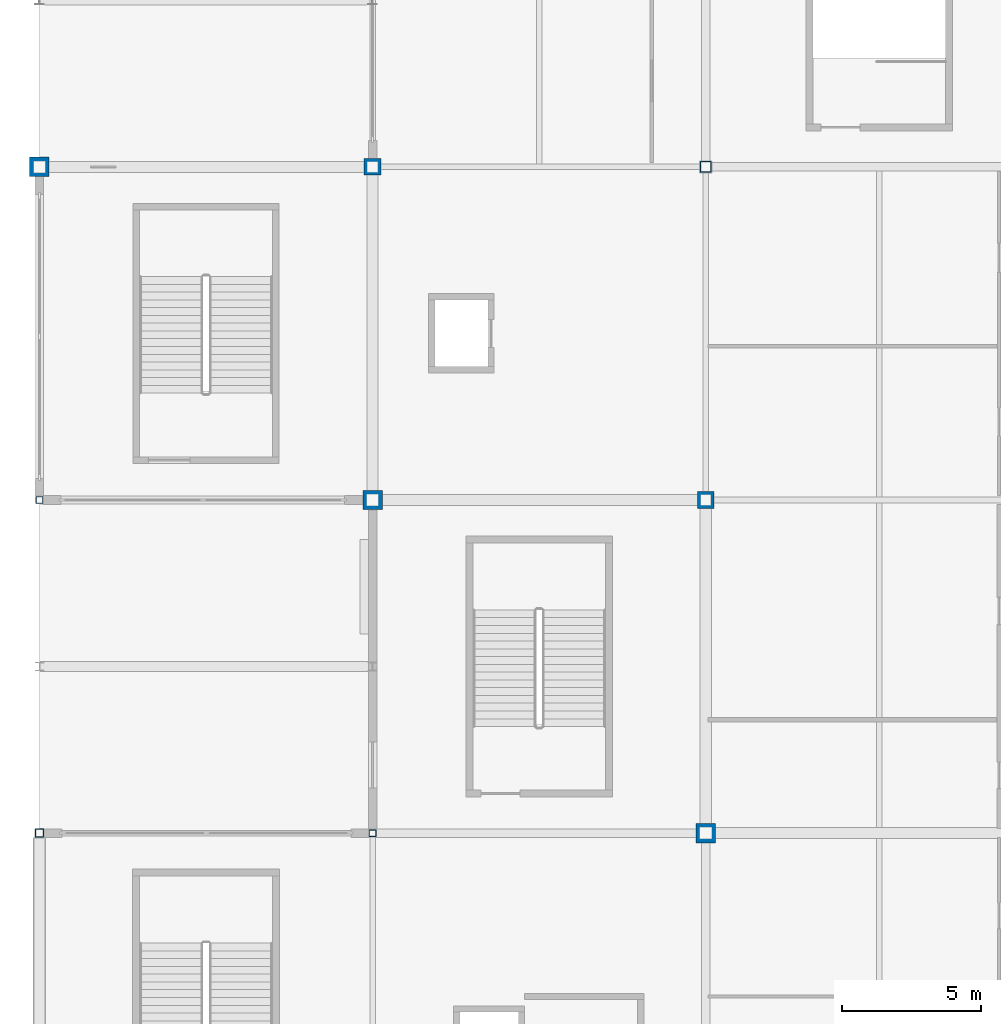
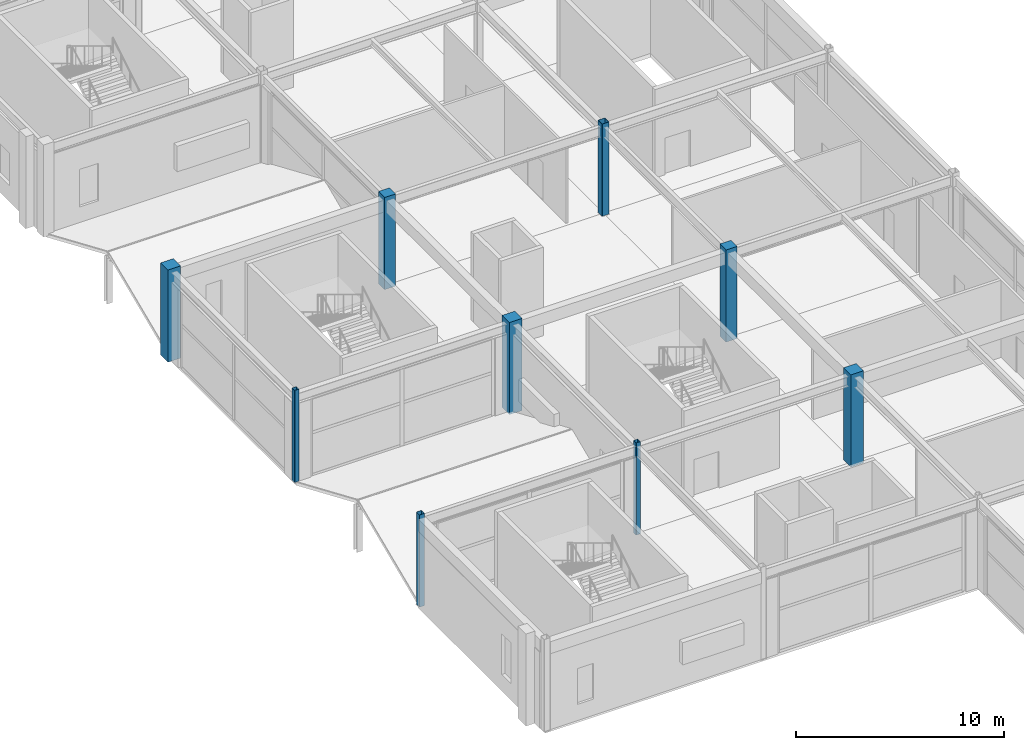
# One storey, part 3 of 105: 9 columns.
"""IFC4 building model written with IfcOpenShell, lengths in metres."""

from ifc_helpers import new_model, si_unit, direction, frame, origin, origin_2d, place, context, subcontext, project, spatial, rectangle, hollow_rectangle, extrude, material, material_profile, profile_set, type_object, element, save


model = new_model("IFC4")

# Units and contexts
model_context = context("Model", 3, precision=1e-05, world=origin(), true_north=direction((0.0, 1.0)))
body_context = subcontext(model_context, "Body", "Model", "MODEL_VIEW")
ifc_project = project(units=[si_unit("LENGTHUNIT", "METRE"), si_unit("AREAUNIT", "SQUARE_METRE"), si_unit("VOLUMEUNIT", "CUBIC_METRE"), si_unit("PLANEANGLEUNIT", "RADIAN"), si_unit("MASSUNIT", "GRAM", prefix="KILO")], contexts=[model_context])

# Site, building, storey
site_placement = place(None, origin())
site = spatial("IfcSite", under=ifc_project, at=site_placement, CompositionType="ELEMENT")
building_placement = place(site_placement, origin())
building = spatial("IfcBuilding", under=site, at=building_placement, Name="Kazenohara Klinker Stadium", CompositionType="ELEMENT")
storey_placement = place(building_placement, frame((0.0, 0.0, 20.39990234375)))
storey = spatial("IfcBuildingStorey", under=building, at=storey_placement, Name="L04", CompositionType="ELEMENT", Elevation=20.39990234375)

# Columns
ifc_material_1 = material(Name="Concrete C40/50", Category="concrete")
ifc_material_profile_1 = material_profile(ifc_material_1, rectangle(XDim=0.699951171875, YDim=0.699951171875, at=origin_2d()), Name="RC-COL-700x700")
ifc_profile_set_1 = profile_set([ifc_material_profile_1], Name="Concrete C40/50")
column_type_1 = type_object("IfcColumnType", Name="COL-RC06", PredefinedType="COLUMN", material=ifc_profile_set_1)
for number, where, z_axis, x_axis, name in (
    (1, (0.0, 72.0, 0.0), (0.0, 0.0, 1.0), (1.0, 0.0, 0.0), "Column C06 L04 1/G"),
    (2, (12.0, 60.0, 0.0), (0.0, 0.0, 1.0), (1.0, 0.0, 0.0), "Column C06 L04 2/F"),
    (3, (24.0, 48.0, 0.0), (0.0, 0.0, 1.0), (1.0, 0.0, 0.0), "Column C06 L04 3/E"),
):
    element("IfcColumn", number, at=place(storey_placement, frame(where, z_axis=z_axis, x_axis=x_axis)), inside=storey, type_object=column_type_1, Name=name, PredefinedType="COLUMN", context=body_context, shape_type="SweptSolid", body=[
        extrude(rectangle(XDim=0.699951171875, YDim=0.699951171875, at=origin_2d()), origin(), (0.0, 0.0, 1.0), 5.400146484375),
    ])
ifc_material_profile_2 = material_profile(ifc_material_1, rectangle(XDim=0.60009765625, YDim=0.60009765625, at=origin_2d()), Name="RC-COL-600x600")
ifc_profile_set_2 = profile_set([ifc_material_profile_2], Name="Concrete C40/50")
column_type_2 = type_object("IfcColumnType", Name="COL-RC07", PredefinedType="COLUMN", material=ifc_profile_set_2)
for number, where, z_axis, x_axis, name in (
    (4, (12.0, 72.0, 0.0), (0.0, 0.0, 1.0), (1.0, 0.0, 0.0), "Column C07 L04 2/G"),
    (5, (24.0, 60.0, 0.0), (0.0, 0.0, 1.0), (1.0, 0.0, 0.0), "Column C07 L04 3/F"),
):
    element("IfcColumn", number, at=place(storey_placement, frame(where, z_axis=z_axis, x_axis=x_axis)), inside=storey, type_object=column_type_2, Name=name, PredefinedType="COLUMN", context=body_context, shape_type="SweptSolid", body=[
        extrude(rectangle(XDim=0.60009765625, YDim=0.60009765625, at=origin_2d()), origin(), (0.0, 0.0, 1.0), 5.400146484375),
    ])
ifc_material_2 = material(Name="Steel S355", Category="steel")
ifc_material_profile_3 = material_profile(ifc_material_2, hollow_rectangle(XDim=0.39990234375, YDim=0.39990234375, WallThickness=0.01611328125, InnerFilletRadius=0.01611328125, OuterFilletRadius=0.031982421875, at=origin_2d()), Name="SHS-400x400x16")
ifc_profile_set_3 = profile_set([ifc_material_profile_3], Name="Steel S355")
column_type_3 = type_object("IfcColumnType", Name="COL-ST01", PredefinedType="COLUMN", material=ifc_profile_set_3)
column_1_placement = place(storey_placement, frame((24.0, 72.0, 0.0), z_axis=(0.0, 0.0, 1.0), x_axis=(1.0, 0.0, 0.0)))
element("IfcColumn", 6, at=column_1_placement, inside=storey, type_object=column_type_3, Name="Column SC01 L04 3/G", PredefinedType="COLUMN", context=body_context, shape_type="SweptSolid", body=[
    extrude(hollow_rectangle(XDim=0.39990234375, YDim=0.39990234375, WallThickness=0.01611328125, InnerFilletRadius=0.01611328125, OuterFilletRadius=0.031982421875, at=origin_2d()), origin(), (0.0, 0.0, 1.0), 5.400146484375),
])
ifc_material_profile_4 = material_profile(ifc_material_2, hollow_rectangle(XDim=0.300048828125, YDim=0.300048828125, WallThickness=0.011962890625, InnerFilletRadius=0.011962890625, OuterFilletRadius=0.02392578125, at=origin_2d()), Name="SHS-300x300x12")
ifc_profile_set_4 = profile_set([ifc_material_profile_4], Name="Steel S355")
column_type_4 = type_object("IfcColumnType", Name="COL-ST03", PredefinedType="COLUMN", material=ifc_profile_set_4)
column_2_placement = place(storey_placement, frame((0.0, 48.0, 0.0), z_axis=(0.0, 0.0, 1.0), x_axis=(1.0, 0.0, 0.0)))
element("IfcColumn", 7, at=column_2_placement, inside=storey, type_object=column_type_4, Name="Column SC03 L04 1/E", PredefinedType="COLUMN", context=body_context, shape_type="SweptSolid", body=[
    extrude(hollow_rectangle(XDim=0.300048828125, YDim=0.300048828125, WallThickness=0.011962890625, InnerFilletRadius=0.011962890625, OuterFilletRadius=0.02392578125, at=origin_2d()), origin(), (0.0, 0.0, 1.0), 5.400146484375),
])
ifc_material_profile_5 = material_profile(ifc_material_2, hollow_rectangle(XDim=0.25, YDim=0.25, WallThickness=0.011962890625, InnerFilletRadius=0.011962890625, OuterFilletRadius=0.02392578125, at=origin_2d()), Name="SHS-250x250x12")
ifc_profile_set_5 = profile_set([ifc_material_profile_5], Name="Steel S355")
column_type_5 = type_object("IfcColumnType", Name="COL-ST04", PredefinedType="COLUMN", material=ifc_profile_set_5)
for number, where, z_axis, x_axis, name in (
    (8, (0.0, 60.0, 0.0), (0.0, 0.0, 1.0), (1.0, 0.0, 0.0), "Column SC04 L04 1/F"),
    (9, (12.0, 48.0, 0.0), (0.0, 0.0, 1.0), (1.0, 0.0, 0.0), "Column SC04 L04 2/E"),
):
    element("IfcColumn", number, at=place(storey_placement, frame(where, z_axis=z_axis, x_axis=x_axis)), inside=storey, type_object=column_type_5, Name=name, PredefinedType="COLUMN", context=body_context, shape_type="SweptSolid", body=[
        extrude(hollow_rectangle(XDim=0.25, YDim=0.25, WallThickness=0.011962890625, InnerFilletRadius=0.011962890625, OuterFilletRadius=0.02392578125, at=origin_2d()), origin(), (0.0, 0.0, 1.0), 5.400146484375),
    ])

save(model, "model.ifc")
